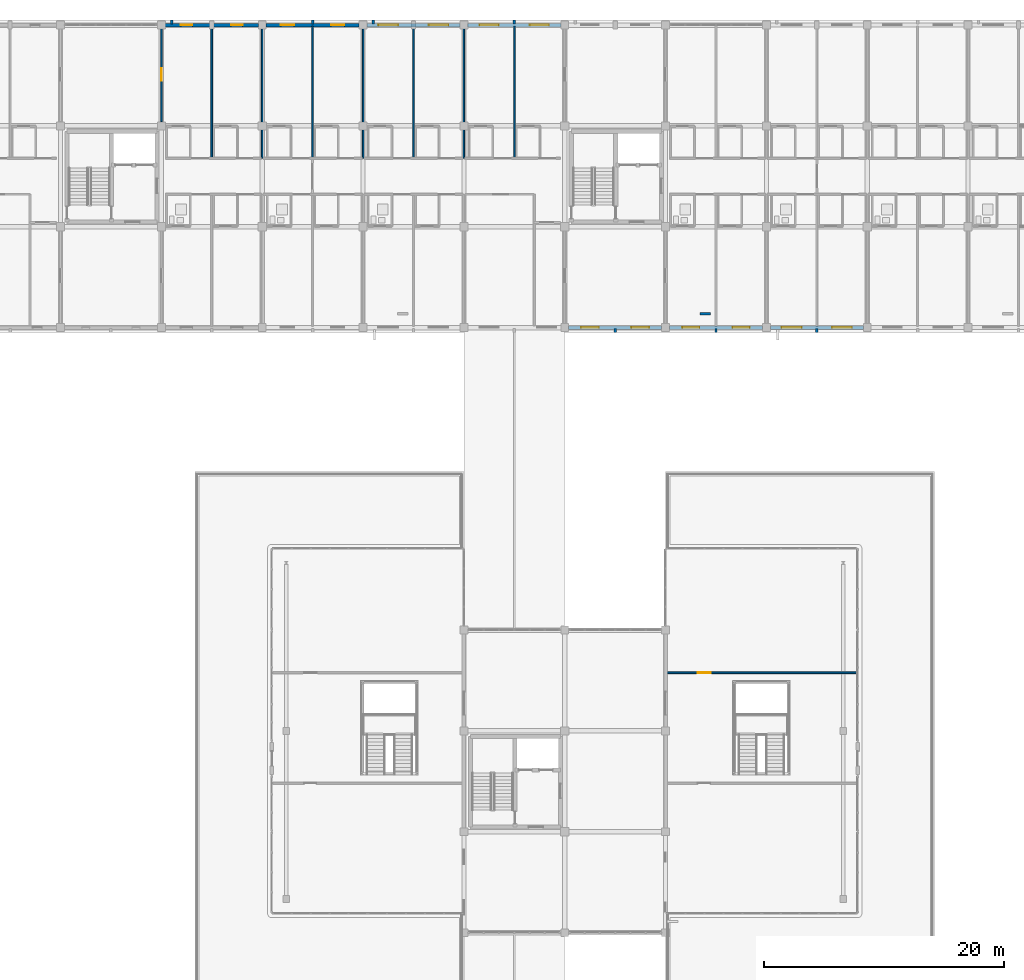
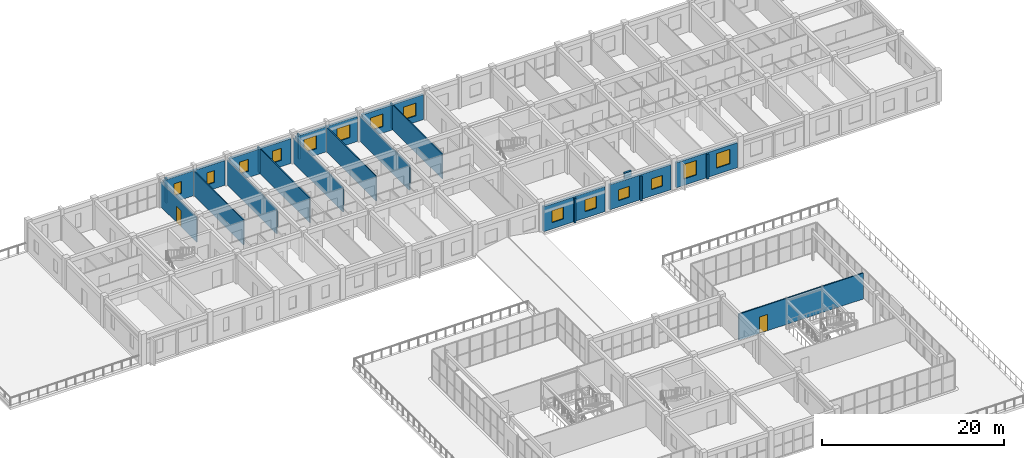
# One storey, part 72 of 90: 24 walls, 14 windows, 2 doors, 16 openings.
"""IFC4 building model written with IfcOpenShell, lengths in metres."""

from ifc_helpers import new_model, si_unit, direction, frame, frame_2d, origin, place, context, subcontext, project, spatial, rectangle, extrude, material, layer, layer_set, type_object, element, fill, save


model = new_model("IFC4")

# Units and contexts
model_context = context("Model", 3, precision=1e-05, world=origin(), true_north=direction((0.0, 1.0)))
body_context = subcontext(model_context, "Body", "Model", "MODEL_VIEW")
ifc_project = project(units=[si_unit("LENGTHUNIT", "METRE"), si_unit("AREAUNIT", "SQUARE_METRE"), si_unit("VOLUMEUNIT", "CUBIC_METRE"), si_unit("PLANEANGLEUNIT", "RADIAN"), si_unit("MASSUNIT", "GRAM", prefix="KILO")], contexts=[model_context])

# Site, building, storey
site_placement = place(None, origin())
site = spatial("IfcSite", under=ifc_project, at=site_placement, CompositionType="ELEMENT")
building_placement = place(site_placement, origin())
building = spatial("IfcBuilding", under=site, at=building_placement, Name="Trelvath General Hospital", CompositionType="ELEMENT")
storey_placement = place(building_placement, frame((0.0, 0.0, 20.39990234375)))
storey = spatial("IfcBuildingStorey", under=building, at=storey_placement, Name="L05", CompositionType="ELEMENT", Elevation=20.39990234375)

# Walls
ifc_material_1 = material(Name="Precast concrete C40/50", Category="concrete")
ifc_layer_1 = layer(ifc_material_1, 0.199951171875)
ifc_layer_set_1 = layer_set([ifc_layer_1], Name="Precast concrete C40/50")
wall_type_1 = type_object("IfcWallType", Name="BriseSoleilRib 200", PredefinedType="ELEMENTEDWALL", material=ifc_layer_set_1)
for number, where, z_axis, x_axis, name in (
    (1, (51.26318359375, 117.675048828125, 0.0), (0.0, 0.0, 1.0), (0.0, 1.0, 0.0), "Precast Concrete Brise-Soleil Rib Fin L05-373"),
    (2, (63.0, 117.675048828125, 0.0), (0.0, 0.0, 1.0), (0.0, 1.0, 0.0), "Precast Concrete Brise-Soleil Rib Fin L05-377"),
    (3, (68.063232421875, 117.675048828125, 0.0), (0.0, 0.0, 1.0), (0.0, 1.0, 0.0), "Precast Concrete Brise-Soleil Rib Fin L05-381"),
    (4, (79.800048828125, 117.675048828125, 0.0), (0.0, 0.0, 1.0), (0.0, 1.0, 0.0), "Precast Concrete Brise-Soleil Rib Fin L05-385"),
    (5, (88.199951171875, 92.324951171875, 0.0), (0.0, 0.0, 1.0), (0.0, -1.0, 0.0), "Precast Concrete Brise-Soleil Rib Fin L05-388"),
    (6, (96.60009765625, 92.324951171875, 0.0), (0.0, 0.0, 1.0), (0.0, -1.0, 0.0), "Precast Concrete Brise-Soleil Rib Fin L05-391"),
    (7, (105.0, 92.324951171875, 0.0), (0.0, 0.0, 1.0), (0.0, -1.0, 0.0), "Precast Concrete Brise-Soleil Rib Fin L05-394"),
):
    element("IfcWall", number, at=place(storey_placement, frame(where, z_axis=z_axis, x_axis=x_axis)), inside=storey, type_object=wall_type_1, Name=name, PredefinedType="ELEMENTEDWALL", context=body_context, shape_type="SweptSolid", body=[
        extrude(rectangle(XDim=0.33984375, YDim=0.199951171875, at=frame_2d((0.169921875, 0.0))), origin(), (0.0, 0.0, 1.0), 3.320068359375),
    ])

# Wall, opening, door
ifc_material_2 = material(Name="Gypsum acoustic steel-stud partition", Category="steel")
ifc_layer_2 = layer(ifc_material_2, 0.14990234375)
ifc_layer_set_2 = layer_set([ifc_layer_2], Name="Gypsum acoustic steel-stud partition")
wall_type_2 = type_object("IfcWallType", Name="ClinicalPartition 150", PredefinedType="PARTITIONING", material=ifc_layer_set_2)
wall_1_placement = place(storey_placement, frame((92.5, 63.64990234375, 0.0), z_axis=(0.0, 0.0, 1.0), x_axis=(1.0, 0.0, 0.0)))
wall_1 = element("IfcWall", 8, at=wall_1_placement, inside=storey, type_object=wall_type_2, Name="Cube Clinic CUBE-E Partition L05-2030", PredefinedType="PARTITIONING", context=body_context, shape_type="SweptSolid", body=[
    extrude(rectangle(XDim=15.800048828125, YDim=0.14990234375, at=frame_2d((7.89990234375, 0.0))), origin(), (0.0, 0.0, 1.0), 3.489990234375),
])
opening_1_placement = place(wall_1_placement, frame((2.60009765625, 0.0, 0.0)))
opening_1 = element("IfcOpeningElement", 9, at=opening_1_placement, cuts=wall_1, Name="Opening DC-5-1306", PredefinedType="OPENING", context=body_context, shape_type="SweptSolid", body=[
    extrude(rectangle(XDim=1.050048828125, YDim=2.199951171875, at=frame_2d((0.52490234375, 1.10009765625))), frame((0.0, 0.0849609375, 0.0), z_axis=(0.0, -1.0, 0.0), x_axis=(1.0, 0.0, 0.0)), (0.0, 0.0, 1.0), 0.169921875),
])
ifc_material_3 = material(Name="Acoustic hospital timber leaf", Category="wood")
door_type = type_object("IfcDoorType", Name="Door Consult 1050x2200", OperationType="NOTDEFINED", PredefinedType="DOOR", material=ifc_material_3)
door_1_placement = place(opening_1_placement, origin())
door_1 = element("IfcDoor", 10, at=door_1_placement, inside=storey, type_object=door_type, Name="Cube Clinic CUBE-E Door L05-1306", OperationType="SINGLE_SWING_RIGHT", OverallHeight=2.199951171875, OverallWidth=1.050048828125, PredefinedType="DOOR", context=body_context, shape_type="SweptSolid", body=[
    extrude(rectangle(XDim=1.050048828125, YDim=2.199951171875, at=frame_2d((0.52490234375, 1.10009765625))), frame((0.0, 0.02490234375, 0.0), z_axis=(0.0, -1.0, 0.0), x_axis=(1.0, 0.0, 0.0)), (0.0, 0.0, 1.0), 0.050048828125),
])
fill(opening_1, door_1)

# Wall, openings, windows
ifc_material_4 = material(Name="Concrete C35/45", Category="concrete")
ifc_layer_3 = layer(ifc_material_4, 0.2900390625)
ifc_layer_set_3 = layer_set([ifc_layer_3], Name="Concrete C35/45")
wall_type_3 = type_object("IfcWallType", Name="ExtBushHammeredWall 290", PredefinedType="SOLIDWALL", material=ifc_layer_set_3)
wall_2_placement = place(storey_placement, frame((50.719970703125, 117.60009765625, 0.0), z_axis=(0.0, 0.0, 1.0), x_axis=(1.0, 0.0, 0.0)))
wall_2 = element("IfcWall", 11, at=wall_2_placement, inside=storey, type_object=wall_type_3, Name="Exterior Concrete Wall L05-507", PredefinedType="SOLIDWALL", context=body_context, shape_type="SweptSolid", body=[
    extrude(rectangle(XDim=7.760009765625, YDim=0.2900390625, at=frame_2d((3.8798828125, 0.0))), origin(), (0.0, 0.0, 1.0), 3.340087890625),
])
opening_2_placement = place(wall_2_placement, frame((1.309814453125, 0.0, 0.85009765625)))
opening_2 = element("IfcOpeningElement", 12, at=opening_2_placement, cuts=wall_2, Name="Opening WN-5-839", PredefinedType="OPENING", context=body_context, shape_type="SweptSolid", body=[
    extrude(rectangle(XDim=0.949951171875, YDim=1.60009765625, at=frame_2d((0.47509765625, 0.800048828125))), frame((0.0, 0.155029296875, 0.0), z_axis=(0.0, -1.0, 0.0), x_axis=(1.0, 0.0, 0.0)), (0.0, 0.0, 1.0), 0.31005859375),
])
opening_3_placement = place(wall_2_placement, frame((5.500244140625, 0.0, 0.85009765625)))
opening_3 = element("IfcOpeningElement", 13, at=opening_3_placement, cuts=wall_2, Name="Opening WN-5-840", PredefinedType="OPENING", context=body_context, shape_type="SweptSolid", body=[
    extrude(rectangle(XDim=0.949951171875, YDim=1.60009765625, at=frame_2d((0.47509765625, 0.800048828125))), frame((0.0, 0.155029296875, 0.0), z_axis=(0.0, -1.0, 0.0), x_axis=(1.0, 0.0, 0.0)), (0.0, 0.0, 1.0), 0.31005859375),
])
ifc_material_5 = material(Name="Low-E laminated glass", Category="glass")
window_type_1 = type_object("IfcWindowType", Name="Window DeepReveal 950x1600", PartitioningType="SINGLE_PANEL", PredefinedType="WINDOW", material=ifc_material_5)
window_1_placement = place(opening_2_placement, origin())
window_1 = element("IfcWindow", 14, at=window_1_placement, inside=storey, type_object=window_type_1, Name="Solar Reveal Window L05-839", OverallHeight=1.60009765625, OverallWidth=0.949951171875, PartitioningType="SINGLE_PANEL", PredefinedType="WINDOW", context=body_context, shape_type="SweptSolid", body=[
    extrude(rectangle(XDim=0.949951171875, YDim=1.60009765625, at=frame_2d((0.47509765625, 0.800048828125))), frame((0.0, 0.030029296875, 0.0), z_axis=(0.0, -1.0, 0.0), x_axis=(1.0, 0.0, 0.0)), (0.0, 0.0, 1.0), 0.06005859375),
])
fill(opening_2, window_1)
window_2_placement = place(opening_3_placement, origin())
window_2 = element("IfcWindow", 15, at=window_2_placement, inside=storey, type_object=window_type_1, Name="Solar Reveal Window L05-840", OverallHeight=1.60009765625, OverallWidth=0.949951171875, PartitioningType="SINGLE_PANEL", PredefinedType="WINDOW", context=body_context, shape_type="SweptSolid", body=[
    extrude(rectangle(XDim=0.949951171875, YDim=1.60009765625, at=frame_2d((0.47509765625, 0.800048828125))), frame((0.0, 0.030029296875, 0.0), z_axis=(0.0, -1.0, 0.0), x_axis=(1.0, 0.0, 0.0)), (0.0, 0.0, 1.0), 0.06005859375),
])
fill(opening_3, window_2)

wall_3_placement = place(storey_placement, frame((59.1201171875, 117.60009765625, 0.0), z_axis=(0.0, 0.0, 1.0), x_axis=(1.0, 0.0, 0.0)))
wall_3 = element("IfcWall", 16, at=wall_3_placement, inside=storey, type_object=wall_type_3, Name="Exterior Concrete Wall L05-511", PredefinedType="SOLIDWALL", context=body_context, shape_type="SweptSolid", body=[
    extrude(rectangle(XDim=7.759765625, YDim=0.2900390625, at=frame_2d((3.8798828125, 0.0))), origin(), (0.0, 0.0, 1.0), 3.340087890625),
])
opening_4_placement = place(wall_3_placement, frame((1.23486328125, 0.0, 0.85009765625)))
opening_4 = element("IfcOpeningElement", 17, at=opening_4_placement, cuts=wall_3, Name="Opening WN-5-847", PredefinedType="OPENING", context=body_context, shape_type="SweptSolid", body=[
    extrude(rectangle(XDim=1.10009765625, YDim=1.60009765625, at=frame_2d((0.550048828125, 0.800048828125))), frame((0.0, 0.155029296875, 0.0), z_axis=(0.0, -1.0, 0.0), x_axis=(1.0, 0.0, 0.0)), (0.0, 0.0, 1.0), 0.31005859375),
])
opening_5_placement = place(wall_3_placement, frame((5.42529296875, 0.0, 0.85009765625)))
opening_5 = element("IfcOpeningElement", 18, at=opening_5_placement, cuts=wall_3, Name="Opening WN-5-848", PredefinedType="OPENING", context=body_context, shape_type="SweptSolid", body=[
    extrude(rectangle(XDim=1.10009765625, YDim=1.60009765625, at=frame_2d((0.550048828125, 0.800048828125))), frame((0.0, 0.155029296875, 0.0), z_axis=(0.0, -1.0, 0.0), x_axis=(1.0, 0.0, 0.0)), (0.0, 0.0, 1.0), 0.31005859375),
])
ifc_material_6 = material(Name="Low-E laminated glass", Category="glass")
window_type_2 = type_object("IfcWindowType", Name="Window DeepReveal 1100x1600", PartitioningType="SINGLE_PANEL", PredefinedType="WINDOW", material=ifc_material_6)
window_3_placement = place(opening_4_placement, origin())
window_3 = element("IfcWindow", 19, at=window_3_placement, inside=storey, type_object=window_type_2, Name="Solar Reveal Window L05-847", OverallHeight=1.60009765625, OverallWidth=1.10009765625, PartitioningType="SINGLE_PANEL", PredefinedType="WINDOW", context=body_context, shape_type="SweptSolid", body=[
    extrude(rectangle(XDim=1.10009765625, YDim=1.60009765625, at=frame_2d((0.550048828125, 0.800048828125))), frame((0.0, 0.030029296875, 0.0), z_axis=(0.0, -1.0, 0.0), x_axis=(1.0, 0.0, 0.0)), (0.0, 0.0, 1.0), 0.06005859375),
])
fill(opening_4, window_3)
window_4_placement = place(opening_5_placement, origin())
window_4 = element("IfcWindow", 20, at=window_4_placement, inside=storey, type_object=window_type_2, Name="Solar Reveal Window L05-848", OverallHeight=1.60009765625, OverallWidth=1.10009765625, PartitioningType="SINGLE_PANEL", PredefinedType="WINDOW", context=body_context, shape_type="SweptSolid", body=[
    extrude(rectangle(XDim=1.10009765625, YDim=1.60009765625, at=frame_2d((0.550048828125, 0.800048828125))), frame((0.0, 0.030029296875, 0.0), z_axis=(0.0, -1.0, 0.0), x_axis=(1.0, 0.0, 0.0)), (0.0, 0.0, 1.0), 0.06005859375),
])
fill(opening_5, window_4)

wall_4_placement = place(storey_placement, frame((67.52001953125, 117.60009765625, 0.0), z_axis=(0.0, 0.0, 1.0), x_axis=(1.0, 0.0, 0.0)))
wall_4 = element("IfcWall", 21, at=wall_4_placement, inside=storey, type_object=wall_type_3, Name="Exterior Concrete Wall L05-515", PredefinedType="SOLIDWALL", context=body_context, shape_type="SweptSolid", body=[
    extrude(rectangle(XDim=7.760009765625, YDim=0.2900390625, at=frame_2d((3.8798828125, 0.0))), origin(), (0.0, 0.0, 1.0), 3.340087890625),
])
opening_6_placement = place(wall_4_placement, frame((0.96484375, 0.0, 0.85009765625)))
opening_6 = element("IfcOpeningElement", 22, at=opening_6_placement, cuts=wall_4, Name="Opening WN-5-855", PredefinedType="OPENING", context=body_context, shape_type="SweptSolid", body=[
    extrude(rectangle(XDim=1.639892578125, YDim=1.75, at=frame_2d((0.81982421875, 0.875))), frame((0.0, 0.155029296875, 0.0), z_axis=(0.0, -1.0, 0.0), x_axis=(1.0, 0.0, 0.0)), (0.0, 0.0, 1.0), 0.31005859375),
])
opening_7_placement = place(wall_4_placement, frame((5.1552734375, 0.0, 0.85009765625)))
opening_7 = element("IfcOpeningElement", 23, at=opening_7_placement, cuts=wall_4, Name="Opening WN-5-856", PredefinedType="OPENING", context=body_context, shape_type="SweptSolid", body=[
    extrude(rectangle(XDim=1.639892578125, YDim=1.75, at=frame_2d((0.81982421875, 0.875))), frame((0.0, 0.155029296875, 0.0), z_axis=(0.0, -1.0, 0.0), x_axis=(1.0, 0.0, 0.0)), (0.0, 0.0, 1.0), 0.31005859375),
])
ifc_material_7 = material(Name="Low-E laminated glass", Category="glass")
window_type_3 = type_object("IfcWindowType", Name="Window ICU 1640x1750", PartitioningType="DOUBLE_PANEL_VERTICAL", PredefinedType="WINDOW", material=ifc_material_7)
window_5_placement = place(opening_6_placement, origin())
window_5 = element("IfcWindow", 24, at=window_5_placement, inside=storey, type_object=window_type_3, Name="Solar Reveal Window L05-855", OverallHeight=1.75, OverallWidth=1.639892578125, PartitioningType="SINGLE_PANEL", PredefinedType="WINDOW", context=body_context, shape_type="SweptSolid", body=[
    extrude(rectangle(XDim=1.639892578125, YDim=1.75, at=frame_2d((0.81982421875, 0.875))), frame((0.0, 0.030029296875, 0.0), z_axis=(0.0, -1.0, 0.0), x_axis=(1.0, 0.0, 0.0)), (0.0, 0.0, 1.0), 0.06005859375),
])
fill(opening_6, window_5)
window_6_placement = place(opening_7_placement, origin())
window_6 = element("IfcWindow", 25, at=window_6_placement, inside=storey, type_object=window_type_3, Name="Solar Reveal Window L05-856", OverallHeight=1.75, OverallWidth=1.639892578125, PartitioningType="SINGLE_PANEL", PredefinedType="WINDOW", context=body_context, shape_type="SweptSolid", body=[
    extrude(rectangle(XDim=1.639892578125, YDim=1.75, at=frame_2d((0.81982421875, 0.875))), frame((0.0, 0.030029296875, 0.0), z_axis=(0.0, -1.0, 0.0), x_axis=(1.0, 0.0, 0.0)), (0.0, 0.0, 1.0), 0.06005859375),
])
fill(opening_7, window_6)

wall_5_placement = place(storey_placement, frame((75.919921875, 117.60009765625, 0.0), z_axis=(0.0, 0.0, 1.0), x_axis=(1.0, 0.0, 0.0)))
wall_5 = element("IfcWall", 26, at=wall_5_placement, inside=storey, type_object=wall_type_3, Name="Exterior Concrete Wall L05-522", PredefinedType="SOLIDWALL", context=body_context, shape_type="SweptSolid", body=[
    extrude(rectangle(XDim=7.760009765625, YDim=0.2900390625, at=frame_2d((3.8798828125, 0.0))), origin(), (0.0, 0.0, 1.0), 3.340087890625),
])
opening_8_placement = place(wall_5_placement, frame((0.994873046875, 0.0, 0.85009765625)))
opening_8 = element("IfcOpeningElement", 27, at=opening_8_placement, cuts=wall_5, Name="Opening WN-5-865", PredefinedType="OPENING", context=body_context, shape_type="SweptSolid", body=[
    extrude(rectangle(XDim=1.580078125, YDim=1.699951171875, at=frame_2d((0.7900390625, 0.85009765625))), frame((0.0, 0.155029296875, 0.0), z_axis=(0.0, -1.0, 0.0), x_axis=(1.0, 0.0, 0.0)), (0.0, 0.0, 1.0), 0.31005859375),
])
opening_9_placement = place(wall_5_placement, frame((5.185302734375, 0.0, 0.85009765625)))
opening_9 = element("IfcOpeningElement", 28, at=opening_9_placement, cuts=wall_5, Name="Opening WN-5-866", PredefinedType="OPENING", context=body_context, shape_type="SweptSolid", body=[
    extrude(rectangle(XDim=1.580078125, YDim=1.699951171875, at=frame_2d((0.7900390625, 0.85009765625))), frame((0.0, 0.155029296875, 0.0), z_axis=(0.0, -1.0, 0.0), x_axis=(1.0, 0.0, 0.0)), (0.0, 0.0, 1.0), 0.31005859375),
])
ifc_material_8 = material(Name="Low-E laminated glass", Category="glass")
window_type_4 = type_object("IfcWindowType", Name="Window Recovery 1580x1700", PartitioningType="DOUBLE_PANEL_VERTICAL", PredefinedType="WINDOW", material=ifc_material_8)
window_7_placement = place(opening_8_placement, origin())
window_7 = element("IfcWindow", 29, at=window_7_placement, inside=storey, type_object=window_type_4, Name="Solar Reveal Window L05-865", OverallHeight=1.699951171875, OverallWidth=1.580078125, PartitioningType="SINGLE_PANEL", PredefinedType="WINDOW", context=body_context, shape_type="SweptSolid", body=[
    extrude(rectangle(XDim=1.580078125, YDim=1.699951171875, at=frame_2d((0.7900390625, 0.85009765625))), frame((0.0, 0.030029296875, 0.0), z_axis=(0.0, -1.0, 0.0), x_axis=(1.0, 0.0, 0.0)), (0.0, 0.0, 1.0), 0.06005859375),
])
fill(opening_8, window_7)
window_8_placement = place(opening_9_placement, origin())
window_8 = element("IfcWindow", 30, at=window_8_placement, inside=storey, type_object=window_type_4, Name="Solar Reveal Window L05-866", OverallHeight=1.699951171875, OverallWidth=1.580078125, PartitioningType="SINGLE_PANEL", PredefinedType="WINDOW", context=body_context, shape_type="SweptSolid", body=[
    extrude(rectangle(XDim=1.580078125, YDim=1.699951171875, at=frame_2d((0.7900390625, 0.85009765625))), frame((0.0, 0.030029296875, 0.0), z_axis=(0.0, -1.0, 0.0), x_axis=(1.0, 0.0, 0.0)), (0.0, 0.0, 1.0), 0.06005859375),
])
fill(opening_9, window_8)

wall_6_placement = place(storey_placement, frame((92.080078125, 92.39990234375, 0.0), z_axis=(0.0, 0.0, 1.0), x_axis=(-1.0, 0.0, 0.0)))
wall_6 = element("IfcWall", 31, at=wall_6_placement, inside=storey, type_object=wall_type_3, Name="Exterior Concrete Wall L05-528", PredefinedType="SOLIDWALL", context=body_context, shape_type="SweptSolid", body=[
    extrude(rectangle(XDim=7.760009765625, YDim=0.2900390625, at=frame_2d((3.8798828125, 0.0))), origin(), (0.0, 0.0, 1.0), 3.340087890625),
])
opening_10_placement = place(wall_6_placement, frame((1.044921875, 0.0, 0.85009765625)))
opening_10 = element("IfcOpeningElement", 32, at=opening_10_placement, cuts=wall_6, Name="Opening WN-5-873", PredefinedType="OPENING", context=body_context, shape_type="SweptSolid", body=[
    extrude(rectangle(XDim=1.47998046875, YDim=1.60009765625, at=frame_2d((0.739990234375, 0.800048828125))), frame((0.0, 0.155029296875, 0.0), z_axis=(0.0, -1.0, 0.0), x_axis=(1.0, 0.0, 0.0)), (0.0, 0.0, 1.0), 0.31005859375),
])
opening_11_placement = place(wall_6_placement, frame((5.235107421875, 0.0, 0.85009765625)))
opening_11 = element("IfcOpeningElement", 33, at=opening_11_placement, cuts=wall_6, Name="Opening WN-5-874", PredefinedType="OPENING", context=body_context, shape_type="SweptSolid", body=[
    extrude(rectangle(XDim=1.47998046875, YDim=1.60009765625, at=frame_2d((0.739990234375, 0.800048828125))), frame((0.0, 0.155029296875, 0.0), z_axis=(0.0, -1.0, 0.0), x_axis=(1.0, 0.0, 0.0)), (0.0, 0.0, 1.0), 0.31005859375),
])
ifc_material_9 = material(Name="Low-E laminated glass", Category="glass")
window_type_5 = type_object("IfcWindowType", Name="Window Clinic 1480x1600", PartitioningType="DOUBLE_PANEL_VERTICAL", PredefinedType="WINDOW", material=ifc_material_9)
window_9_placement = place(opening_10_placement, origin())
window_9 = element("IfcWindow", 34, at=window_9_placement, inside=storey, type_object=window_type_5, Name="Solar Reveal Window L05-873", OverallHeight=1.60009765625, OverallWidth=1.47998046875, PartitioningType="SINGLE_PANEL", PredefinedType="WINDOW", context=body_context, shape_type="SweptSolid", body=[
    extrude(rectangle(XDim=1.47998046875, YDim=1.60009765625, at=frame_2d((0.739990234375, 0.800048828125))), frame((0.0, 0.030029296875, 0.0), z_axis=(0.0, -1.0, 0.0), x_axis=(1.0, 0.0, 0.0)), (0.0, 0.0, 1.0), 0.06005859375),
])
fill(opening_10, window_9)
window_10_placement = place(opening_11_placement, origin())
window_10 = element("IfcWindow", 35, at=window_10_placement, inside=storey, type_object=window_type_5, Name="Solar Reveal Window L05-874", OverallHeight=1.60009765625, OverallWidth=1.47998046875, PartitioningType="SINGLE_PANEL", PredefinedType="WINDOW", context=body_context, shape_type="SweptSolid", body=[
    extrude(rectangle(XDim=1.47998046875, YDim=1.60009765625, at=frame_2d((0.739990234375, 0.800048828125))), frame((0.0, 0.030029296875, 0.0), z_axis=(0.0, -1.0, 0.0), x_axis=(1.0, 0.0, 0.0)), (0.0, 0.0, 1.0), 0.06005859375),
])
fill(opening_11, window_10)

wall_7_placement = place(storey_placement, frame((100.47998046875, 92.39990234375, 0.0), z_axis=(0.0, 0.0, 1.0), x_axis=(-1.0, 0.0, 0.0)))
wall_7 = element("IfcWall", 36, at=wall_7_placement, inside=storey, type_object=wall_type_3, Name="Exterior Concrete Wall L05-531", PredefinedType="SOLIDWALL", context=body_context, shape_type="SweptSolid", body=[
    extrude(rectangle(XDim=7.760009765625, YDim=0.2900390625, at=frame_2d((3.8798828125, 0.0))), origin(), (0.0, 0.0, 1.0), 3.340087890625),
])
opening_12_placement = place(wall_7_placement, frame((1.07470703125, 0.0, 0.85009765625)))
opening_12 = element("IfcOpeningElement", 37, at=opening_12_placement, cuts=wall_7, Name="Opening WN-5-879", PredefinedType="OPENING", context=body_context, shape_type="SweptSolid", body=[
    extrude(rectangle(XDim=1.419921875, YDim=1.449951171875, at=frame_2d((0.7099609375, 0.72509765625))), frame((0.0, 0.155029296875, 0.0), z_axis=(0.0, -1.0, 0.0), x_axis=(1.0, 0.0, 0.0)), (0.0, 0.0, 1.0), 0.31005859375),
])
opening_13_placement = place(wall_7_placement, frame((5.26513671875, 0.0, 0.85009765625)))
opening_13 = element("IfcOpeningElement", 38, at=opening_13_placement, cuts=wall_7, Name="Opening WN-5-880", PredefinedType="OPENING", context=body_context, shape_type="SweptSolid", body=[
    extrude(rectangle(XDim=1.419921875, YDim=1.449951171875, at=frame_2d((0.7099609375, 0.72509765625))), frame((0.0, 0.155029296875, 0.0), z_axis=(0.0, -1.0, 0.0), x_axis=(1.0, 0.0, 0.0)), (0.0, 0.0, 1.0), 0.31005859375),
])
ifc_material_10 = material(Name="Low-E laminated glass", Category="glass")
window_type_6 = type_object("IfcWindowType", Name="Window Lab 1420x1450", PartitioningType="DOUBLE_PANEL_VERTICAL", PredefinedType="WINDOW", material=ifc_material_10)
window_11_placement = place(opening_12_placement, origin())
window_11 = element("IfcWindow", 39, at=window_11_placement, inside=storey, type_object=window_type_6, Name="Solar Reveal Window L05-879", OverallHeight=1.449951171875, OverallWidth=1.419921875, PartitioningType="SINGLE_PANEL", PredefinedType="WINDOW", context=body_context, shape_type="SweptSolid", body=[
    extrude(rectangle(XDim=1.419921875, YDim=1.449951171875, at=frame_2d((0.7099609375, 0.72509765625))), frame((0.0, 0.030029296875, 0.0), z_axis=(0.0, -1.0, 0.0), x_axis=(1.0, 0.0, 0.0)), (0.0, 0.0, 1.0), 0.06005859375),
])
fill(opening_12, window_11)
window_12_placement = place(opening_13_placement, origin())
window_12 = element("IfcWindow", 40, at=window_12_placement, inside=storey, type_object=window_type_6, Name="Solar Reveal Window L05-880", OverallHeight=1.449951171875, OverallWidth=1.419921875, PartitioningType="SINGLE_PANEL", PredefinedType="WINDOW", context=body_context, shape_type="SweptSolid", body=[
    extrude(rectangle(XDim=1.419921875, YDim=1.449951171875, at=frame_2d((0.7099609375, 0.72509765625))), frame((0.0, 0.030029296875, 0.0), z_axis=(0.0, -1.0, 0.0), x_axis=(1.0, 0.0, 0.0)), (0.0, 0.0, 1.0), 0.06005859375),
])
fill(opening_13, window_12)

wall_8_placement = place(storey_placement, frame((108.8798828125, 92.39990234375, 0.0), z_axis=(0.0, 0.0, 1.0), x_axis=(-1.0, 0.0, 0.0)))
wall_8 = element("IfcWall", 41, at=wall_8_placement, inside=storey, type_object=wall_type_3, Name="Exterior Concrete Wall L05-534", PredefinedType="SOLIDWALL", context=body_context, shape_type="SweptSolid", body=[
    extrude(rectangle(XDim=7.759765625, YDim=0.2900390625, at=frame_2d((3.8798828125, 0.0))), origin(), (0.0, 0.0, 1.0), 3.340087890625),
])
opening_14_placement = place(wall_8_placement, frame((0.954833984375, 0.0, 0.85009765625)))
opening_14 = element("IfcOpeningElement", 42, at=opening_14_placement, cuts=wall_8, Name="Opening WN-5-885", PredefinedType="OPENING", context=body_context, shape_type="SweptSolid", body=[
    extrude(rectangle(XDim=1.659912109375, YDim=1.949951171875, at=frame_2d((0.830078125, 0.97509765625))), frame((0.0, 0.155029296875, 0.0), z_axis=(0.0, -1.0, 0.0), x_axis=(1.0, 0.0, 0.0)), (0.0, 0.0, 1.0), 0.31005859375),
])
opening_15_placement = place(wall_8_placement, frame((5.145263671875, 0.0, 0.85009765625)))
opening_15 = element("IfcOpeningElement", 43, at=opening_15_placement, cuts=wall_8, Name="Opening WN-5-886", PredefinedType="OPENING", context=body_context, shape_type="SweptSolid", body=[
    extrude(rectangle(XDim=1.659912109375, YDim=1.949951171875, at=frame_2d((0.830078125, 0.97509765625))), frame((0.0, 0.155029296875, 0.0), z_axis=(0.0, -1.0, 0.0), x_axis=(1.0, 0.0, 0.0)), (0.0, 0.0, 1.0), 0.31005859375),
])
ifc_material_11 = material(Name="Low-E laminated glass", Category="glass")
window_type_7 = type_object("IfcWindowType", Name="Window Dayroom 1660x1950", PartitioningType="DOUBLE_PANEL_VERTICAL", PredefinedType="WINDOW", material=ifc_material_11)
window_13_placement = place(opening_14_placement, origin())
window_13 = element("IfcWindow", 44, at=window_13_placement, inside=storey, type_object=window_type_7, Name="Solar Reveal Window L05-885", OverallHeight=1.949951171875, OverallWidth=1.659912109375, PartitioningType="SINGLE_PANEL", PredefinedType="WINDOW", context=body_context, shape_type="SweptSolid", body=[
    extrude(rectangle(XDim=1.659912109375, YDim=1.949951171875, at=frame_2d((0.830078125, 0.97509765625))), frame((0.0, 0.030029296875, 0.0), z_axis=(0.0, -1.0, 0.0), x_axis=(1.0, 0.0, 0.0)), (0.0, 0.0, 1.0), 0.06005859375),
])
fill(opening_14, window_13)
window_14_placement = place(opening_15_placement, origin())
window_14 = element("IfcWindow", 45, at=window_14_placement, inside=storey, type_object=window_type_7, Name="Solar Reveal Window L05-886", OverallHeight=1.949951171875, OverallWidth=1.659912109375, PartitioningType="SINGLE_PANEL", PredefinedType="WINDOW", context=body_context, shape_type="SweptSolid", body=[
    extrude(rectangle(XDim=1.659912109375, YDim=1.949951171875, at=frame_2d((0.830078125, 0.97509765625))), frame((0.0, 0.030029296875, 0.0), z_axis=(0.0, -1.0, 0.0), x_axis=(1.0, 0.0, 0.0)), (0.0, 0.0, 1.0), 0.06005859375),
])
fill(opening_15, window_14)

# Wall
ifc_material_12 = material(Name="Masonry service chase blockwork", Category="masonry")
ifc_layer_4 = layer(ifc_material_12, 0.239990234375)
ifc_layer_set_4 = layer_set([ifc_layer_4], Name="Masonry service chase blockwork")
wall_type_4 = type_object("IfcWallType", Name="PlumbingChaseWall 240", PredefinedType="PLUMBINGWALL", material=ifc_layer_set_4)
wall_9_placement = place(storey_placement, frame((95.25, 93.550048828125, 0.0), z_axis=(0.0, 0.0, 1.0), x_axis=(1.0, 0.0, 0.0)))
element("IfcWall", 46, at=wall_9_placement, inside=storey, type_object=wall_type_4, Name="Medical Gas Plumbing Chase L05-1958", PredefinedType="PLUMBINGWALL", context=body_context, shape_type="SweptSolid", body=[
    extrude(rectangle(XDim=0.89990234375, YDim=0.239990234375, at=frame_2d((0.449951171875, 0.0))), origin(), (0.0, 0.0, 1.0), 3.320068359375),
])

# Wall, opening, door
ifc_material_13 = material(Name="Gypsum acoustic steel-stud partition", Category="steel")
ifc_layer_5 = layer(ifc_material_13, 0.1298828125)
ifc_layer_set_5 = layer_set([ifc_layer_5], Name="Gypsum acoustic steel-stud partition")
wall_type_5 = type_object("IfcWallType", Name="WardPartition 130", PredefinedType="PARTITIONING", material=ifc_layer_set_5)
wall_10_placement = place(storey_placement, frame((50.39990234375, 109.550048828125, 0.0), z_axis=(0.0, 0.0, 1.0), x_axis=(0.0, 1.0, 0.0)))
wall_10 = element("IfcWall", 47, at=wall_10_placement, inside=storey, type_object=wall_type_5, Name="Inter-Bay Ward Partition N L05-1878", PredefinedType="PARTITIONING", context=body_context, shape_type="SweptSolid", body=[
    extrude(rectangle(XDim=7.909912109375, YDim=0.1298828125, at=frame_2d((3.955078125, 0.0))), origin(), (0.0, 0.0, 1.0), 3.320068359375),
])
opening_16_placement = place(wall_10_placement, frame((3.39990234375, 0.0, 0.0)))
opening_16 = element("IfcOpeningElement", 48, at=opening_16_placement, cuts=wall_10, Name="Opening D-5-1232", PredefinedType="OPENING", context=body_context, shape_type="SweptSolid", body=[
    extrude(rectangle(XDim=1.050048828125, YDim=2.199951171875, at=frame_2d((0.52490234375, 1.10009765625))), frame((0.0, 0.074951171875, 0.0), z_axis=(0.0, -1.0, 0.0), x_axis=(1.0, 0.0, 0.0)), (0.0, 0.0, 1.0), 0.14990234375),
])
door_2_placement = place(opening_16_placement, origin())
door_2 = element("IfcDoor", 49, at=door_2_placement, inside=storey, type_object=door_type, Name="Consultation Connecting Door L05-1232", OperationType="SINGLE_SWING_LEFT", OverallHeight=2.199951171875, OverallWidth=1.050048828125, PredefinedType="DOOR", context=body_context, shape_type="SweptSolid", body=[
    extrude(rectangle(XDim=1.050048828125, YDim=2.199951171875, at=frame_2d((0.52490234375, 1.10009765625))), frame((0.0, 0.02490234375, 0.0), z_axis=(0.0, -1.0, 0.0), x_axis=(1.0, 0.0, 0.0)), (0.0, 0.0, 1.0), 0.050048828125),
])
fill(opening_16, door_2)

# Walls
wall_11_placement = place(storey_placement, frame((54.60009765625, 106.570068359375, 0.0), z_axis=(0.0, 0.0, 1.0), x_axis=(0.0, 1.0, 0.0)))
element("IfcWall", 50, at=wall_11_placement, inside=storey, type_object=wall_type_5, Name="Room Dividing Partition N L05-1888", PredefinedType="PARTITIONING", context=body_context, shape_type="SweptSolid", body=[
    extrude(rectangle(XDim=10.929931640625, YDim=0.1298828125, at=frame_2d((5.46484375, 0.0))), origin(), (0.0, 0.0, 1.0), 3.320068359375),
])
wall_12_placement = place(storey_placement, frame((58.800048828125, 106.52001953125, 0.0), z_axis=(0.0, 0.0, 1.0), x_axis=(0.0, 1.0, 0.0)))
element("IfcWall", 51, at=wall_12_placement, inside=storey, type_object=wall_type_5, Name="Inter-Bay Ward Partition N L05-1896", PredefinedType="PARTITIONING", context=body_context, shape_type="SweptSolid", body=[
    extrude(rectangle(XDim=10.93994140625, YDim=0.1298828125, at=frame_2d((5.469970703125, 0.0))), origin(), (0.0, 0.0, 1.0), 3.320068359375),
])
wall_13_placement = place(storey_placement, frame((63.0, 106.570068359375, 0.0), z_axis=(0.0, 0.0, 1.0), x_axis=(0.0, 1.0, 0.0)))
element("IfcWall", 52, at=wall_13_placement, inside=storey, type_object=wall_type_5, Name="Room Dividing Partition N L05-1906", PredefinedType="PARTITIONING", context=body_context, shape_type="SweptSolid", body=[
    extrude(rectangle(XDim=10.929931640625, YDim=0.1298828125, at=frame_2d((5.46484375, 0.0))), origin(), (0.0, 0.0, 1.0), 3.320068359375),
])
wall_14_placement = place(storey_placement, frame((67.199951171875, 106.52001953125, 0.0), z_axis=(0.0, 0.0, 1.0), x_axis=(0.0, 1.0, 0.0)))
element("IfcWall", 53, at=wall_14_placement, inside=storey, type_object=wall_type_5, Name="Inter-Bay Ward Partition N L05-1915", PredefinedType="PARTITIONING", context=body_context, shape_type="SweptSolid", body=[
    extrude(rectangle(XDim=10.93994140625, YDim=0.1298828125, at=frame_2d((5.469970703125, 0.0))), origin(), (0.0, 0.0, 1.0), 3.320068359375),
])
wall_15_placement = place(storey_placement, frame((71.39990234375, 106.570068359375, 0.0), z_axis=(0.0, 0.0, 1.0), x_axis=(0.0, 1.0, 0.0)))
element("IfcWall", 54, at=wall_15_placement, inside=storey, type_object=wall_type_5, Name="Room Dividing Partition N L05-1926", PredefinedType="PARTITIONING", context=body_context, shape_type="SweptSolid", body=[
    extrude(rectangle(XDim=10.929931640625, YDim=0.1298828125, at=frame_2d((5.46484375, 0.0))), origin(), (0.0, 0.0, 1.0), 3.320068359375),
])
wall_16_placement = place(storey_placement, frame((75.60009765625, 106.52001953125, 0.0), z_axis=(0.0, 0.0, 1.0), x_axis=(0.0, 1.0, 0.0)))
element("IfcWall", 55, at=wall_16_placement, inside=storey, type_object=wall_type_5, Name="Inter-Bay Ward Partition N L05-1934", PredefinedType="PARTITIONING", context=body_context, shape_type="SweptSolid", body=[
    extrude(rectangle(XDim=10.93994140625, YDim=0.1298828125, at=frame_2d((5.469970703125, 0.0))), origin(), (0.0, 0.0, 1.0), 3.320068359375),
])
wall_17_placement = place(storey_placement, frame((79.800048828125, 106.570068359375, 0.0), z_axis=(0.0, 0.0, 1.0), x_axis=(0.0, 1.0, 0.0)))
element("IfcWall", 56, at=wall_17_placement, inside=storey, type_object=wall_type_5, Name="Room Dividing Partition N L05-1939", PredefinedType="PARTITIONING", context=body_context, shape_type="SweptSolid", body=[
    extrude(rectangle(XDim=10.929931640625, YDim=0.1298828125, at=frame_2d((5.46484375, 0.0))), origin(), (0.0, 0.0, 1.0), 3.320068359375),
])

save(model, "model.ifc")
